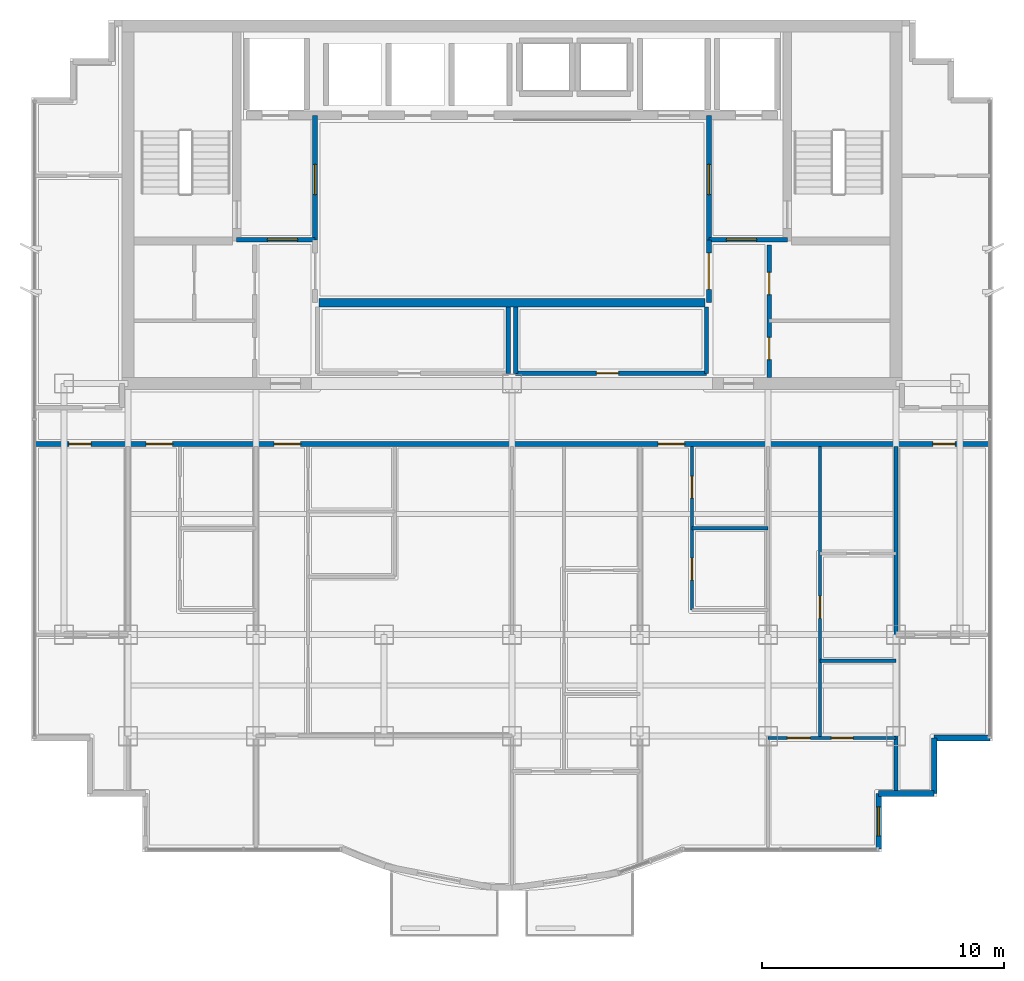
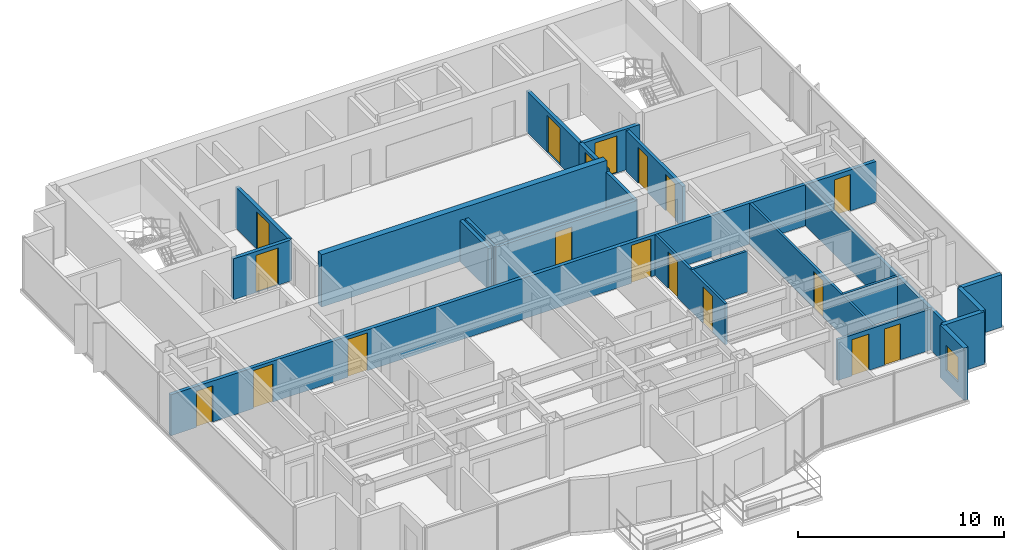
# One storey, part 8 of 12: 22 walls, 18 doors, 1 window, 19 openings.
"""IFC4 building model written with IfcOpenShell, lengths in metres."""

from ifc_helpers import new_model, si_unit, direction, frame, frame_2d, origin, place, context, subcontext, project, spatial, rectangle, extrude, material, layer, layer_set, type_object, element, fill, save


model = new_model("IFC4")

# Units and contexts
model_context = context("Model", 3, precision=1e-05, world=origin(), true_north=direction((0.0, 1.0)))
body_context = subcontext(model_context, "Body", "Model", "MODEL_VIEW")
ifc_project = project(units=[si_unit("LENGTHUNIT", "METRE"), si_unit("AREAUNIT", "SQUARE_METRE"), si_unit("VOLUMEUNIT", "CUBIC_METRE"), si_unit("PLANEANGLEUNIT", "RADIAN"), si_unit("MASSUNIT", "GRAM", prefix="KILO")], contexts=[model_context])

# Site, building, storey
site_placement = place(None, origin())
site = spatial("IfcSite", under=ifc_project, at=site_placement, CompositionType="ELEMENT")
building_placement = place(site_placement, origin())
building = spatial("IfcBuilding", under=site, at=building_placement, Name="Qianlan Lanfeng Residences", CompositionType="ELEMENT")
storey_placement = place(building_placement, frame((0.0, 0.0, 200.0)))
storey = spatial("IfcBuildingStorey", under=building, at=storey_placement, Name="L54", CompositionType="ELEMENT", Elevation=200.0)

# Wall
ifc_material_1 = material(Name="Concrete C49", Category="concrete")
ifc_layer_1 = layer(ifc_material_1, 0.35009765625)
ifc_layer_set_1 = layer_set([ifc_layer_1], Name="Concrete C49")
wall_type_1 = type_object("IfcWallType", Name="CW-RC-350", PredefinedType="SHEAR", material=ifc_layer_set_1)
wall_1_placement = place(storey_placement, frame((18.5, 28.550048828125, 0.0), z_axis=(0.0, 0.0, 1.0), x_axis=(1.0, 0.0, 0.0)))
element("IfcWall", 1, at=wall_1_placement, inside=storey, type_object=wall_type_1, Name="L54 Core Shear Wall LBS", PredefinedType="SHEAR", context=body_context, shape_type="SweptSolid", body=[
    extrude(rectangle(XDim=16.0, YDim=0.35009765625, at=frame_2d((8.0, 0.0))), origin(), (0.0, 0.0, 1.0), 3.110107421875),
])

# Wall, opening, window
ifc_material_2 = material(Name="Concrete C42", Category="concrete")
ifc_layer_2 = layer(ifc_material_2, 0.239990234375)
ifc_layer_set_2 = layer_set([ifc_layer_2], Name="Concrete C42")
wall_type_2 = type_object("IfcWallType", Name="EW-240", PredefinedType="SOLIDWALL", material=ifc_layer_set_2)
wall_2_placement = place(storey_placement, frame((41.679931640625, 5.919921875, 0.0), z_axis=(0.0, 0.0, 1.0), x_axis=(0.0, 1.0, 0.0)))
wall_2 = element("IfcWall", 2, at=wall_2_placement, inside=storey, type_object=wall_type_2, Name="L54 Exterior Facade Spandrel Wall 9", PredefinedType="SOLIDWALL", context=body_context, shape_type="SweptSolid", body=[
    extrude(rectangle(XDim=2.300048828125, YDim=0.239990234375, at=frame_2d((1.14990234375, 0.0))), origin(), (0.0, 0.0, 1.0), 3.110107421875),
])
opening_1_placement = place(wall_2_placement, frame((0.550048828125, 0.0, 0.75)))
opening_1 = element("IfcOpeningElement", 3, at=opening_1_placement, cuts=wall_2, Name="Opening W-03", PredefinedType="OPENING", context=body_context, shape_type="SweptSolid", body=[
    extrude(rectangle(XDim=1.199951171875, YDim=1.5, at=frame_2d((0.60009765625, 0.75))), frame((0.0, 0.1298828125, 0.0), z_axis=(0.0, -1.0, 0.0), x_axis=(1.0, 0.0, 0.0)), (0.0, 0.0, 1.0), 0.260009765625),
])
ifc_material_3 = material(Name="Anodised Bronze Aluminium Framed Double Glazing", Category="aluminium")
window_type = type_object("IfcWindowType", Name="W-03", PartitioningType="SINGLE_PANEL", PredefinedType="WINDOW", material=ifc_material_3)
window_placement = place(opening_1_placement, origin())
window = element("IfcWindow", 4, at=window_placement, inside=storey, type_object=window_type, Name="L54 Facade Punched Window W-03", OverallHeight=1.5, OverallWidth=1.199951171875, PartitioningType="SINGLE_PANEL", PredefinedType="WINDOW", context=body_context, shape_type="SweptSolid", body=[
    extrude(rectangle(XDim=1.199951171875, YDim=1.5, at=frame_2d((0.60009765625, 0.75))), frame((0.0, 0.030029296875, 0.0), z_axis=(0.0, -1.0, 0.0), x_axis=(1.0, 0.0, 0.0)), (0.0, 0.0, 1.0), 0.06005859375),
])
fill(opening_1, window)

# Walls
for number, where, z_axis, x_axis, name in (
    (5, (41.679931640625, 8.219970703125, 0.0), (0.0, 0.0, 1.0), (1.0, 0.0, 0.0), "L54 Exterior Facade Spandrel Wall 10"),
    (6, (43.97998046875, 8.219970703125, 0.0), (0.0, 0.0, 1.0), (0.0, 1.0, 0.0), "L54 Exterior Facade Spandrel Wall 11"),
    (7, (43.97998046875, 10.52001953125, 0.0), (0.0, 0.0, 1.0), (1.0, 0.0, 0.0), "L54 Exterior Facade Spandrel Wall 12"),
):
    element("IfcWall", number, at=place(storey_placement, frame(where, z_axis=z_axis, x_axis=x_axis)), inside=storey, type_object=wall_type_2, Name=name, PredefinedType="SOLIDWALL", context=body_context, shape_type="SweptSolid", body=[
        extrude(rectangle(XDim=2.300048828125, YDim=0.239990234375, at=frame_2d((1.14990234375, 0.0))), origin(), (0.0, 0.0, 1.0), 3.110107421875),
    ])

# Wall, openings, doors
ifc_material_4 = material(Name="Moisture-Resistant Gypsum Partition 135 mm")
ifc_layer_3 = layer(ifc_material_4, 0.135009765625)
ifc_layer_set_3 = layer_set([ifc_layer_3], Name="Moisture-Resistant Gypsum Partition 135 mm")
wall_type_3 = type_object("IfcWallType", Name="PW-135", PredefinedType="PARTITIONING", material=ifc_layer_set_3)
wall_3_placement = place(storey_placement, frame((33.949951171875, 15.820068359375, 0.0), z_axis=(0.0, 0.0, 1.0), x_axis=(0.0, 1.0, 0.0)))
wall_3 = element("IfcWall", 8, at=wall_3_placement, inside=storey, type_object=wall_type_3, Name="L54 U03 Wet Stack Spine", PredefinedType="PARTITIONING", context=body_context, shape_type="SweptSolid", body=[
    extrude(rectangle(XDim=6.780029296875, YDim=0.135009765625, at=frame_2d((3.39013671875, 0.0))), origin(), (0.0, 0.0, 1.0), 2.429931640625),
])
opening_2_placement = place(wall_3_placement, frame((1.235107421875, 0.0, 0.0)))
opening_2 = element("IfcOpeningElement", 9, at=opening_2_placement, cuts=wall_3, Name="Opening L54-D33", PredefinedType="OPENING", context=body_context, shape_type="SweptSolid", body=[
    extrude(rectangle(XDim=0.919921875, YDim=2.14990234375, at=frame_2d((0.4599609375, 1.074951171875))), frame((0.0, 0.07763671875, 0.0), z_axis=(0.0, -1.0, 0.0), x_axis=(1.0, 0.0, 0.0)), (0.0, 0.0, 1.0), 0.155029296875),
])
opening_3_placement = place(wall_3_placement, frame((4.635009765625, 0.0, 0.0)))
opening_3 = element("IfcOpeningElement", 10, at=opening_3_placement, cuts=wall_3, Name="Opening L54-D34", PredefinedType="OPENING", context=body_context, shape_type="SweptSolid", body=[
    extrude(rectangle(XDim=0.89990234375, YDim=2.14990234375, at=frame_2d((0.449951171875, 1.074951171875))), frame((0.0, 0.07763671875, 0.0), z_axis=(0.0, -1.0, 0.0), x_axis=(1.0, 0.0, 0.0)), (0.0, 0.0, 1.0), 0.155029296875),
])
ifc_material_5 = material(Name="Glazed Timber Kitchen/Study Door", Category="wood")
door_type_1 = type_object("IfcDoorType", Name="DT-INT", OperationType="NOTDEFINED", PredefinedType="DOOR", material=ifc_material_5)
door_1_placement = place(opening_2_placement, origin())
door_1 = element("IfcDoor", 11, at=door_1_placement, inside=storey, type_object=door_type_1, Name="L54 U03 Kitchen Door L54-D33 (DT-INT)", OperationType="SINGLE_SWING_LEFT", OverallHeight=2.14990234375, OverallWidth=0.919921875, PredefinedType="DOOR", context=body_context, shape_type="SweptSolid", body=[
    extrude(rectangle(XDim=0.919921875, YDim=2.14990234375, at=frame_2d((0.4599609375, 1.074951171875))), frame((0.0, 0.02490234375, 0.0), z_axis=(0.0, -1.0, 0.0), x_axis=(1.0, 0.0, 0.0)), (0.0, 0.0, 1.0), 0.050048828125),
])
fill(opening_2, door_1)
ifc_material_6 = material(Name="Moisture-Resistant Timber Leaf", Category="wood")
door_type_2 = type_object("IfcDoorType", Name="DT-WC", OperationType="NOTDEFINED", PredefinedType="DOOR", material=ifc_material_6)
door_2_placement = place(opening_3_placement, origin())
door_2 = element("IfcDoor", 12, at=door_2_placement, inside=storey, type_object=door_type_2, Name="L54 U03 Bathroom Door L54-D34 (DT-WC)", OperationType="SINGLE_SWING_RIGHT", OverallHeight=2.14990234375, OverallWidth=0.89990234375, PredefinedType="DOOR", context=body_context, shape_type="SweptSolid", body=[
    extrude(rectangle(XDim=0.89990234375, YDim=2.14990234375, at=frame_2d((0.449951171875, 1.074951171875))), frame((0.0, 0.02490234375, 0.0), z_axis=(0.0, -1.0, 0.0), x_axis=(1.0, 0.0, 0.0)), (0.0, 0.0, 1.0), 0.050048828125),
])
fill(opening_3, door_2)

# Wall
wall_4_placement = place(storey_placement, frame((33.949951171875, 19.2099609375, 0.0), z_axis=(0.0, 0.0, 1.0), x_axis=(1.0, 0.0, 0.0)))
element("IfcWall", 13, at=wall_4_placement, inside=storey, type_object=wall_type_3, Name="L54 U03 Bathroom South Wall", PredefinedType="PARTITIONING", context=body_context, shape_type="SweptSolid", body=[
    extrude(rectangle(XDim=3.150146484375, YDim=0.135009765625, at=frame_2d((1.5751953125, 0.0))), origin(), (0.0, 0.0, 1.0), 2.429931640625),
])

# Wall, openings, doors
wall_5_placement = place(storey_placement, frame((37.10009765625, 10.52001953125, 0.0), z_axis=(0.0, 0.0, 1.0), x_axis=(1.0, 0.0, 0.0)))
wall_5 = element("IfcWall", 14, at=wall_5_placement, inside=storey, type_object=wall_type_3, Name="L54 U03 Master Bedroom North Wall", PredefinedType="PARTITIONING", context=body_context, shape_type="SweptSolid", body=[
    extrude(rectangle(XDim=5.2998046875, YDim=0.135009765625, at=frame_2d((2.64990234375, 0.0))), origin(), (0.0, 0.0, 1.0), 2.429931640625),
])
opening_4_placement = place(wall_5_placement, frame((0.800048828125, 0.0, 0.0)))
opening_4 = element("IfcOpeningElement", 15, at=opening_4_placement, cuts=wall_5, Name="Opening L54-D35", PredefinedType="OPENING", context=body_context, shape_type="SweptSolid", body=[
    extrude(rectangle(XDim=0.949951171875, YDim=2.14990234375, at=frame_2d((0.47509765625, 1.074951171875))), frame((0.0, 0.07763671875, 0.0), z_axis=(0.0, -1.0, 0.0), x_axis=(1.0, 0.0, 0.0)), (0.0, 0.0, 1.0), 0.155029296875),
])
opening_5_placement = place(wall_5_placement, frame((2.625, 0.0, 0.0)))
opening_5 = element("IfcOpeningElement", 16, at=opening_5_placement, cuts=wall_5, Name="Opening L54-D36", PredefinedType="OPENING", context=body_context, shape_type="SweptSolid", body=[
    extrude(rectangle(XDim=0.89990234375, YDim=2.14990234375, at=frame_2d((0.449951171875, 1.074951171875))), frame((0.0, 0.07763671875, 0.0), z_axis=(0.0, -1.0, 0.0), x_axis=(1.0, 0.0, 0.0)), (0.0, 0.0, 1.0), 0.155029296875),
])
ifc_material_7 = material(Name="Painted Solid-Core Timber Leaf", Category="wood")
door_type_3 = type_object("IfcDoorType", Name="DT-BED", OperationType="NOTDEFINED", PredefinedType="DOOR", material=ifc_material_7)
door_3_placement = place(opening_4_placement, origin())
door_3 = element("IfcDoor", 17, at=door_3_placement, inside=storey, type_object=door_type_3, Name="L54 U03 Master Bedroom Door L54-D35 (DT-BED)", OperationType="SINGLE_SWING_RIGHT", OverallHeight=2.14990234375, OverallWidth=0.949951171875, PredefinedType="DOOR", context=body_context, shape_type="SweptSolid", body=[
    extrude(rectangle(XDim=0.949951171875, YDim=2.14990234375, at=frame_2d((0.47509765625, 1.074951171875))), frame((0.0, 0.02490234375, 0.0), z_axis=(0.0, -1.0, 0.0), x_axis=(1.0, 0.0, 0.0)), (0.0, 0.0, 1.0), 0.050048828125),
])
fill(opening_4, door_3)
door_4_placement = place(opening_5_placement, origin())
door_4 = element("IfcDoor", 18, at=door_4_placement, inside=storey, type_object=door_type_2, Name="L54 U03 En-Suite Bathroom Door L54-D36 (DT-WC)", OperationType="SINGLE_SWING_RIGHT", OverallHeight=2.14990234375, OverallWidth=0.89990234375, PredefinedType="DOOR", context=body_context, shape_type="SweptSolid", body=[
    extrude(rectangle(XDim=0.89990234375, YDim=2.14990234375, at=frame_2d((0.449951171875, 1.074951171875))), frame((0.0, 0.02490234375, 0.0), z_axis=(0.0, -1.0, 0.0), x_axis=(1.0, 0.0, 0.0)), (0.0, 0.0, 1.0), 0.050048828125),
])
fill(opening_5, door_4)

# Wall, opening, door
wall_6_placement = place(storey_placement, frame((39.25, 10.52001953125, 0.0), z_axis=(0.0, 0.0, 1.0), x_axis=(0.0, 1.0, 0.0)))
wall_6 = element("IfcWall", 19, at=wall_6_placement, inside=storey, type_object=wall_type_3, Name="L54 U03 Master Passage Wall", PredefinedType="PARTITIONING", context=body_context, shape_type="SweptSolid", body=[
    extrude(rectangle(XDim=12.080078125, YDim=0.135009765625, at=frame_2d((6.0400390625, 0.0))), origin(), (0.0, 0.0, 1.0), 2.429931640625),
])
opening_6_placement = place(wall_6_placement, frame((4.9599609375, 0.0, 0.0)))
opening_6 = element("IfcOpeningElement", 20, at=opening_6_placement, cuts=wall_6, Name="Opening L54-D37", PredefinedType="OPENING", context=body_context, shape_type="SweptSolid", body=[
    extrude(rectangle(XDim=0.919921875, YDim=2.14990234375, at=frame_2d((0.4599609375, 1.074951171875))), frame((0.0, 0.07763671875, 0.0), z_axis=(0.0, -1.0, 0.0), x_axis=(1.0, 0.0, 0.0)), (0.0, 0.0, 1.0), 0.155029296875),
])
door_5_placement = place(opening_6_placement, origin())
door_5 = element("IfcDoor", 21, at=door_5_placement, inside=storey, type_object=door_type_1, Name="L54 U03 Wardrobe Door L54-D37 (DT-INT)", OperationType="SINGLE_SWING_LEFT", OverallHeight=2.14990234375, OverallWidth=0.919921875, PredefinedType="DOOR", context=body_context, shape_type="SweptSolid", body=[
    extrude(rectangle(XDim=0.919921875, YDim=2.14990234375, at=frame_2d((0.4599609375, 1.074951171875))), frame((0.0, 0.02490234375, 0.0), z_axis=(0.0, -1.0, 0.0), x_axis=(1.0, 0.0, 0.0)), (0.0, 0.0, 1.0), 0.050048828125),
])
fill(opening_6, door_5)

# Wall
wall_7_placement = place(storey_placement, frame((39.25, 13.719970703125, 0.0), z_axis=(0.0, 0.0, 1.0), x_axis=(1.0, 0.0, 0.0)))
element("IfcWall", 22, at=wall_7_placement, inside=storey, type_object=wall_type_3, Name="L54 U03 En-Suite North Wall", PredefinedType="PARTITIONING", context=body_context, shape_type="SweptSolid", body=[
    extrude(rectangle(XDim=3.14990234375, YDim=0.135009765625, at=frame_2d((1.574951171875, 0.0))), origin(), (0.0, 0.0, 1.0), 2.429931640625),
])

# Wall, openings, doors
ifc_material_8 = material(Name="Double-Layer Acoustic Gypsum Stud Wall 180 mm")
ifc_layer_4 = layer(ifc_material_8, 0.179931640625)
ifc_layer_set_4 = layer_set([ifc_layer_4], Name="Double-Layer Acoustic Gypsum Stud Wall 180 mm")
wall_type_4 = type_object("IfcWallType", Name="PW-180", PredefinedType="PARTITIONING", material=ifc_layer_set_4)
wall_8_placement = place(storey_placement, frame((37.14990234375, 25.449951171875, 0.0), z_axis=(0.0, 0.0, 1.0), x_axis=(0.0, 1.0, 0.0)))
wall_8 = element("IfcWall", 23, at=wall_8_placement, inside=storey, type_object=wall_type_4, Name="L54 Core East Service Room Wall", PredefinedType="PARTITIONING", context=body_context, shape_type="SweptSolid", body=[
    extrude(rectangle(XDim=5.47509765625, YDim=0.179931640625, at=frame_2d((2.737548828125, 0.0))), origin(), (0.0, 0.0, 1.0), 2.429931640625),
])
opening_7_placement = place(wall_8_placement, frame((0.739990234375, 0.0, 0.0)))
opening_7 = element("IfcOpeningElement", 24, at=opening_7_placement, cuts=wall_8, Name="Opening L54-D12", PredefinedType="OPENING", context=body_context, shape_type="SweptSolid", body=[
    extrude(rectangle(XDim=0.919921875, YDim=2.14990234375, at=frame_2d((0.4599609375, 1.074951171875))), frame((0.0, 0.10009765625, 0.0), z_axis=(0.0, -1.0, 0.0), x_axis=(1.0, 0.0, 0.0)), (0.0, 0.0, 1.0), 0.199951171875),
])
opening_8_placement = place(wall_8_placement, frame((3.427001953125, 0.0, 0.0)))
opening_8 = element("IfcOpeningElement", 25, at=opening_8_placement, cuts=wall_8, Name="Opening L54-D13", PredefinedType="OPENING", context=body_context, shape_type="SweptSolid", body=[
    extrude(rectangle(XDim=0.919921875, YDim=2.14990234375, at=frame_2d((0.4599609375, 1.074951171875))), frame((0.0, 0.10009765625, 0.0), z_axis=(0.0, -1.0, 0.0), x_axis=(1.0, 0.0, 0.0)), (0.0, 0.0, 1.0), 0.199951171875),
])
door_6_placement = place(opening_7_placement, origin())
door_6 = element("IfcDoor", 26, at=door_6_placement, inside=storey, type_object=door_type_1, Name="L54 Mail Closet Door L54-D12 (DT-INT)", OperationType="SINGLE_SWING_LEFT", OverallHeight=2.14990234375, OverallWidth=0.919921875, PredefinedType="DOOR", context=body_context, shape_type="SweptSolid", body=[
    extrude(rectangle(XDim=0.919921875, YDim=2.14990234375, at=frame_2d((0.4599609375, 1.074951171875))), frame((0.0, 0.02490234375, 0.0), z_axis=(0.0, -1.0, 0.0), x_axis=(1.0, 0.0, 0.0)), (0.0, 0.0, 1.0), 0.050048828125),
])
fill(opening_7, door_6)
door_7_placement = place(opening_8_placement, origin())
door_7 = element("IfcDoor", 27, at=door_7_placement, inside=storey, type_object=door_type_1, Name="L54 Refuse Closet Door L54-D13 (DT-INT)", OperationType="SINGLE_SWING_LEFT", OverallHeight=2.14990234375, OverallWidth=0.919921875, PredefinedType="DOOR", context=body_context, shape_type="SweptSolid", body=[
    extrude(rectangle(XDim=0.919921875, YDim=2.14990234375, at=frame_2d((0.4599609375, 1.074951171875))), frame((0.0, 0.02490234375, 0.0), z_axis=(0.0, -1.0, 0.0), x_axis=(1.0, 0.0, 0.0)), (0.0, 0.0, 1.0), 0.050048828125),
])
fill(opening_8, door_7)

# Walls
for number, where, z_axis, x_axis, name in (
    (28, (26.35009765625, 25.6201171875, 0.0), (0.0, 0.0, 1.0), (0.0, 1.0, 0.0), "L54 Reclaimed Low-Bank Room East Wall"),
    (29, (26.64990234375, 25.6201171875, 0.0), (0.0, 0.0, 1.0), (0.0, 1.0, 0.0), "L54 Reclaimed Mid-Bank Room West Wall"),
    (30, (34.550048828125, 25.6201171875, 0.0), (0.0, 0.0, 1.0), (0.0, 1.0, 0.0), "L54 Reclaimed Mid-Bank Room East Wall"),
):
    element("IfcWall", number, at=place(storey_placement, frame(where, z_axis=z_axis, x_axis=x_axis)), inside=storey, type_object=wall_type_4, Name=name, PredefinedType="PARTITIONING", context=body_context, shape_type="SweptSolid", body=[
        extrude(rectangle(XDim=2.7548828125, YDim=0.179931640625, at=frame_2d((1.37744140625, 0.0))), origin(), (0.0, 0.0, 1.0), 2.429931640625),
    ])

# Wall, opening, door
wall_9_placement = place(storey_placement, frame((26.64990234375, 25.6201171875, 0.0), z_axis=(0.0, 0.0, 1.0), x_axis=(1.0, 0.0, 0.0)))
wall_9 = element("IfcWall", 31, at=wall_9_placement, inside=storey, type_object=wall_type_4, Name="L54 Reclaimed Mid-Bank Room South Wall", PredefinedType="PARTITIONING", context=body_context, shape_type="SweptSolid", body=[
    extrude(rectangle(XDim=7.900146484375, YDim=0.179931640625, at=frame_2d((3.9501953125, 0.0))), origin(), (0.0, 0.0, 1.0), 2.429931640625),
])
opening_9_placement = place(wall_9_placement, frame((3.340087890625, 0.0, 0.0)))
opening_9 = element("IfcOpeningElement", 32, at=opening_9_placement, cuts=wall_9, Name="Opening L54-D17", PredefinedType="OPENING", context=body_context, shape_type="SweptSolid", body=[
    extrude(rectangle(XDim=0.919921875, YDim=2.14990234375, at=frame_2d((0.4599609375, 1.074951171875))), frame((0.0, 0.10009765625, 0.0), z_axis=(0.0, -1.0, 0.0), x_axis=(1.0, 0.0, 0.0)), (0.0, 0.0, 1.0), 0.199951171875),
])
door_8_placement = place(opening_9_placement, origin())
door_8 = element("IfcDoor", 33, at=door_8_placement, inside=storey, type_object=door_type_1, Name="L54 Reclaimed Mid-Bank Salon Door L54-D17 (DT-INT)", OperationType="SINGLE_SWING_LEFT", OverallHeight=2.14990234375, OverallWidth=0.919921875, PredefinedType="DOOR", context=body_context, shape_type="SweptSolid", body=[
    extrude(rectangle(XDim=0.919921875, YDim=2.14990234375, at=frame_2d((0.4599609375, 1.074951171875))), frame((0.0, 0.02490234375, 0.0), z_axis=(0.0, -1.0, 0.0), x_axis=(1.0, 0.0, 0.0)), (0.0, 0.0, 1.0), 0.050048828125),
])
fill(opening_9, door_8)

# Wall
wall_10_placement = place(storey_placement, frame((42.39990234375, 8.320068359375, 0.0), z_axis=(0.0, 0.0, 1.0), x_axis=(0.0, 1.0, 0.0)))
element("IfcWall", 34, at=wall_10_placement, inside=storey, type_object=wall_type_4, Name="L54 Wing Boundary Party Wall E0", PredefinedType="PARTITIONING", context=body_context, shape_type="SweptSolid", body=[
    extrude(rectangle(XDim=14.280029296875, YDim=0.179931640625, at=frame_2d((7.14013671875, 0.0))), origin(), (0.0, 0.0, 1.0), 2.429931640625),
])

# Wall, opening, door
ifc_material_9 = material(Name="Autoclaved Aerated Concrete Blockwork 200 mm", Category="masonry")
ifc_layer_5 = layer(ifc_material_9, 0.199951171875)
ifc_layer_set_5 = layer_set([ifc_layer_5], Name="Autoclaved Aerated Concrete Blockwork 200 mm")
wall_type_5 = type_object("IfcWallType", Name="PW-200", PredefinedType="PARTITIONING", material=ifc_layer_set_5)
wall_11_placement = place(storey_placement, frame((15.10009765625, 31.14990234375, 0.0), z_axis=(0.0, 0.0, 1.0), x_axis=(1.0, 0.0, 0.0)))
wall_11 = element("IfcWall", 35, at=wall_11_placement, inside=storey, type_object=wall_type_5, Name="L54 Firefighting Lobby 1 South Wall", PredefinedType="PARTITIONING", context=body_context, shape_type="SweptSolid", body=[
    extrude(rectangle(XDim=3.25, YDim=0.199951171875, at=frame_2d((1.625, 0.0))), origin(), (0.0, 0.0, 1.0), 2.429931640625),
])
opening_10_placement = place(wall_11_placement, frame((1.27490234375, 0.0, 0.0)))
opening_10 = element("IfcOpeningElement", 36, at=opening_10_placement, cuts=wall_11, Name="Opening L54-D03", PredefinedType="OPENING", context=body_context, shape_type="SweptSolid", body=[
    extrude(rectangle(XDim=1.25, YDim=2.199951171875, at=frame_2d((0.625, 1.10009765625))), frame((0.0, 0.10986328125, 0.0), z_axis=(0.0, -1.0, 0.0), x_axis=(1.0, 0.0, 0.0)), (0.0, 0.0, 1.0), 0.219970703125),
])
ifc_material_10 = material(Name="Painted Galvanised Steel Fire Door", Category="steel")
door_type_4 = type_object("IfcDoorType", Name="DT-FFL", OperationType="NOTDEFINED", PredefinedType="DOOR", material=ifc_material_10)
door_9_placement = place(opening_10_placement, origin())
door_9 = element("IfcDoor", 37, at=door_9_placement, inside=storey, type_object=door_type_4, Name="L54 Firefighting Lobby 1 Entry Door L54-D03 (DT-FFL)", OperationType="SINGLE_SWING_LEFT", OverallHeight=2.199951171875, OverallWidth=1.25, PredefinedType="DOOR", context=body_context, shape_type="SweptSolid", body=[
    extrude(rectangle(XDim=1.25, YDim=2.199951171875, at=frame_2d((0.625, 1.10009765625))), frame((0.0, 0.02490234375, 0.0), z_axis=(0.0, -1.0, 0.0), x_axis=(1.0, 0.0, 0.0)), (0.0, 0.0, 1.0), 0.050048828125),
])
fill(opening_10, door_9)

wall_12_placement = place(storey_placement, frame((18.35009765625, 31.14990234375, 0.0), z_axis=(0.0, 0.0, 1.0), x_axis=(0.0, 1.0, 0.0)))
wall_12 = element("IfcWall", 38, at=wall_12_placement, inside=storey, type_object=wall_type_5, Name="L54 Firefighting Lobby 1 East Wall", PredefinedType="PARTITIONING", context=body_context, shape_type="SweptSolid", body=[
    extrude(rectangle(XDim=5.150146484375, YDim=0.199951171875, at=frame_2d((2.5751953125, 0.0))), origin(), (0.0, 0.0, 1.0), 2.429931640625),
])
opening_11_placement = place(wall_12_placement, frame((1.875, 0.0, 0.0)))
opening_11 = element("IfcOpeningElement", 39, at=opening_11_placement, cuts=wall_12, Name="Opening L54-D04", PredefinedType="OPENING", context=body_context, shape_type="SweptSolid", body=[
    extrude(rectangle(XDim=1.25, YDim=2.199951171875, at=frame_2d((0.625, 1.10009765625))), frame((0.0, 0.10986328125, 0.0), z_axis=(0.0, -1.0, 0.0), x_axis=(1.0, 0.0, 0.0)), (0.0, 0.0, 1.0), 0.219970703125),
])
door_10_placement = place(opening_11_placement, origin())
door_10 = element("IfcDoor", 40, at=door_10_placement, inside=storey, type_object=door_type_4, Name="L54 Firefighting Lobby 1 Lift Lobby Door L54-D04 (DT-FFL)", OperationType="SINGLE_SWING_RIGHT", OverallHeight=2.199951171875, OverallWidth=1.25, PredefinedType="DOOR", context=body_context, shape_type="SweptSolid", body=[
    extrude(rectangle(XDim=1.25, YDim=2.199951171875, at=frame_2d((0.625, 1.10009765625))), frame((0.0, 0.02490234375, 0.0), z_axis=(0.0, -1.0, 0.0), x_axis=(1.0, 0.0, 0.0)), (0.0, 0.0, 1.0), 0.050048828125),
])
fill(opening_11, door_10)

wall_13_placement = place(storey_placement, frame((34.64990234375, 31.14990234375, 0.0), z_axis=(0.0, 0.0, 1.0), x_axis=(1.0, 0.0, 0.0)))
wall_13 = element("IfcWall", 41, at=wall_13_placement, inside=storey, type_object=wall_type_5, Name="L54 Firefighting Lobby 2 South Wall", PredefinedType="PARTITIONING", context=body_context, shape_type="SweptSolid", body=[
    extrude(rectangle(XDim=3.25, YDim=0.199951171875, at=frame_2d((1.625, 0.0))), origin(), (0.0, 0.0, 1.0), 2.429931640625),
])
opening_12_placement = place(wall_13_placement, frame((0.72509765625, 0.0, 0.0)))
opening_12 = element("IfcOpeningElement", 42, at=opening_12_placement, cuts=wall_13, Name="Opening L54-D05", PredefinedType="OPENING", context=body_context, shape_type="SweptSolid", body=[
    extrude(rectangle(XDim=1.25, YDim=2.199951171875, at=frame_2d((0.625, 1.10009765625))), frame((0.0, 0.10986328125, 0.0), z_axis=(0.0, -1.0, 0.0), x_axis=(1.0, 0.0, 0.0)), (0.0, 0.0, 1.0), 0.219970703125),
])
door_11_placement = place(opening_12_placement, origin())
door_11 = element("IfcDoor", 43, at=door_11_placement, inside=storey, type_object=door_type_4, Name="L54 Firefighting Lobby 2 Entry Door L54-D05 (DT-FFL)", OperationType="SINGLE_SWING_RIGHT", OverallHeight=2.199951171875, OverallWidth=1.25, PredefinedType="DOOR", context=body_context, shape_type="SweptSolid", body=[
    extrude(rectangle(XDim=1.25, YDim=2.199951171875, at=frame_2d((0.625, 1.10009765625))), frame((0.0, 0.02490234375, 0.0), z_axis=(0.0, -1.0, 0.0), x_axis=(1.0, 0.0, 0.0)), (0.0, 0.0, 1.0), 0.050048828125),
])
fill(opening_12, door_11)

wall_14_placement = place(storey_placement, frame((34.64990234375, 31.14990234375, 0.0), z_axis=(0.0, 0.0, 1.0), x_axis=(0.0, 1.0, 0.0)))
wall_14 = element("IfcWall", 44, at=wall_14_placement, inside=storey, type_object=wall_type_5, Name="L54 Firefighting Lobby 2 West Wall", PredefinedType="PARTITIONING", context=body_context, shape_type="SweptSolid", body=[
    extrude(rectangle(XDim=5.150146484375, YDim=0.199951171875, at=frame_2d((2.5751953125, 0.0))), origin(), (0.0, 0.0, 1.0), 2.429931640625),
])
opening_13_placement = place(wall_14_placement, frame((1.875, 0.0, 0.0)))
opening_13 = element("IfcOpeningElement", 45, at=opening_13_placement, cuts=wall_14, Name="Opening L54-D06", PredefinedType="OPENING", context=body_context, shape_type="SweptSolid", body=[
    extrude(rectangle(XDim=1.25, YDim=2.199951171875, at=frame_2d((0.625, 1.10009765625))), frame((0.0, 0.10986328125, 0.0), z_axis=(0.0, -1.0, 0.0), x_axis=(1.0, 0.0, 0.0)), (0.0, 0.0, 1.0), 0.219970703125),
])
door_12_placement = place(opening_13_placement, origin())
door_12 = element("IfcDoor", 46, at=door_12_placement, inside=storey, type_object=door_type_4, Name="L54 Firefighting Lobby 2 Lift Lobby Door L54-D06 (DT-FFL)", OperationType="SINGLE_SWING_RIGHT", OverallHeight=2.199951171875, OverallWidth=1.25, PredefinedType="DOOR", context=body_context, shape_type="SweptSolid", body=[
    extrude(rectangle(XDim=1.25, YDim=2.199951171875, at=frame_2d((0.625, 1.10009765625))), frame((0.0, 0.02490234375, 0.0), z_axis=(0.0, -1.0, 0.0), x_axis=(1.0, 0.0, 0.0)), (0.0, 0.0, 1.0), 0.050048828125),
])
fill(opening_13, door_12)

wall_15_placement = place(storey_placement, frame((34.64990234375, 28.550048828125, 0.0), z_axis=(0.0, 0.0, 1.0), x_axis=(0.0, 1.0, 0.0)))
wall_15 = element("IfcWall", 47, at=wall_15_placement, inside=storey, type_object=wall_type_5, Name="L54 Lift Lobby East Connector Wall", PredefinedType="PARTITIONING", context=body_context, shape_type="SweptSolid", body=[
    extrude(rectangle(XDim=2.599853515625, YDim=0.199951171875, at=frame_2d((1.2998046875, 0.0))), origin(), (0.0, 0.0, 1.0), 2.429931640625),
])
opening_14_placement = place(wall_15_placement, frame((0.550048828125, 0.0, 0.0)))
opening_14 = element("IfcOpeningElement", 48, at=opening_14_placement, cuts=wall_15, Name="Opening L54-D15", PredefinedType="OPENING", context=body_context, shape_type="SweptSolid", body=[
    extrude(rectangle(XDim=1.5, YDim=2.25, at=frame_2d((0.75, 1.125))), frame((0.0, 0.10986328125, 0.0), z_axis=(0.0, -1.0, 0.0), x_axis=(1.0, 0.0, 0.0)), (0.0, 0.0, 1.0), 0.219970703125),
])
ifc_material_11 = material(Name="Timber Veneer Acoustic Fire Door", Category="wood")
door_type_5 = type_object("IfcDoorType", Name="DT-COR1", OperationType="NOTDEFINED", PredefinedType="DOOR", material=ifc_material_11)
door_13_placement = place(opening_14_placement, frame((1.5, 0.0, 0.0), z_axis=(0.0, 0.0, 1.0), x_axis=(-1.0, 0.0, 0.0)))
door_13 = element("IfcDoor", 49, at=door_13_placement, inside=storey, type_object=door_type_5, Name="L54 Lift Lobby East Portal Door L54-D15 (DT-COR1)", OperationType="DOUBLE_DOOR_SINGLE_SWING", OverallHeight=2.25, OverallWidth=1.5, PredefinedType="DOOR", context=body_context, shape_type="SweptSolid", body=[
    extrude(rectangle(XDim=1.5, YDim=2.25, at=frame_2d((0.75, 1.125))), frame((0.0, 0.02490234375, 0.0), z_axis=(0.0, -1.0, 0.0), x_axis=(1.0, 0.0, 0.0)), (0.0, 0.0, 1.0), 0.050048828125),
])
fill(opening_14, door_13)

# Wall, openings, doors
wall_16_placement = place(storey_placement, frame((6.719970703125, 22.699951171875, 0.0), z_axis=(0.0, 0.0, 1.0), x_axis=(1.0, 0.0, 0.0)))
wall_16 = element("IfcWall", 50, at=wall_16_placement, inside=storey, type_object=wall_type_5, Name="L54 Residential Corridor South Fire Wall", PredefinedType="PARTITIONING", context=body_context, shape_type="SweptSolid", body=[
    extrude(rectangle(XDim=39.56005859375, YDim=0.199951171875, at=frame_2d((19.780029296875, 0.0))), origin(), (0.0, 0.0, 1.0), 2.429931640625),
])
opening_15_placement = place(wall_16_placement, frame((4.6298828125, 0.0, 0.0)))
opening_15 = element("IfcOpeningElement", 51, at=opening_15_placement, cuts=wall_16, Name="Opening L54-D18", PredefinedType="OPENING", context=body_context, shape_type="SweptSolid", body=[
    extrude(rectangle(XDim=1.10009765625, YDim=2.25, at=frame_2d((0.550048828125, 1.125))), frame((0.0, 0.10986328125, 0.0), z_axis=(0.0, -1.0, 0.0), x_axis=(1.0, 0.0, 0.0)), (0.0, 0.0, 1.0), 0.219970703125),
])
opening_16_placement = place(wall_16_placement, frame((9.929931640625, 0.0, 0.0)))
opening_16 = element("IfcOpeningElement", 52, at=opening_16_placement, cuts=wall_16, Name="Opening L54-D21", PredefinedType="OPENING", context=body_context, shape_type="SweptSolid", body=[
    extrude(rectangle(XDim=1.10009765625, YDim=2.25, at=frame_2d((0.550048828125, 1.125))), frame((0.0, 0.10986328125, 0.0), z_axis=(0.0, -1.0, 0.0), x_axis=(1.0, 0.0, 0.0)), (0.0, 0.0, 1.0), 0.219970703125),
])
opening_17_placement = place(wall_16_placement, frame((25.830078125, 0.0, 0.0)))
opening_17 = element("IfcOpeningElement", 53, at=opening_17_placement, cuts=wall_16, Name="Opening L54-D31", PredefinedType="OPENING", context=body_context, shape_type="SweptSolid", body=[
    extrude(rectangle(XDim=1.10009765625, YDim=2.25, at=frame_2d((0.550048828125, 1.125))), frame((0.0, 0.10986328125, 0.0), z_axis=(0.0, -1.0, 0.0), x_axis=(1.0, 0.0, 0.0)), (0.0, 0.0, 1.0), 0.219970703125),
])
opening_18_placement = place(wall_16_placement, frame((1.43505859375, 0.0, 0.0)))
opening_18 = element("IfcOpeningElement", 54, at=opening_18_placement, cuts=wall_16, Name="Opening L54-D40", PredefinedType="OPENING", context=body_context, shape_type="SweptSolid", body=[
    extrude(rectangle(XDim=0.919921875, YDim=2.14990234375, at=frame_2d((0.4599609375, 1.074951171875))), frame((0.0, 0.10986328125, 0.0), z_axis=(0.0, -1.0, 0.0), x_axis=(1.0, 0.0, 0.0)), (0.0, 0.0, 1.0), 0.219970703125),
])
opening_19_placement = place(wall_16_placement, frame((37.205078125, 0.0, 0.0)))
opening_19 = element("IfcOpeningElement", 55, at=opening_19_placement, cuts=wall_16, Name="Opening L54-D42", PredefinedType="OPENING", context=body_context, shape_type="SweptSolid", body=[
    extrude(rectangle(XDim=0.919921875, YDim=2.14990234375, at=frame_2d((0.4599609375, 1.074951171875))), frame((0.0, 0.10986328125, 0.0), z_axis=(0.0, -1.0, 0.0), x_axis=(1.0, 0.0, 0.0)), (0.0, 0.0, 1.0), 0.219970703125),
])
door_14_placement = place(opening_18_placement, origin())
door_14 = element("IfcDoor", 56, at=door_14_placement, inside=storey, type_object=door_type_1, Name="L54 SWP Corridor Door L54-D40 (DT-INT)", OperationType="SINGLE_SWING_RIGHT", OverallHeight=2.14990234375, OverallWidth=0.919921875, PredefinedType="DOOR", context=body_context, shape_type="SweptSolid", body=[
    extrude(rectangle(XDim=0.919921875, YDim=2.14990234375, at=frame_2d((0.4599609375, 1.074951171875))), frame((0.0, 0.02490234375, 0.0), z_axis=(0.0, -1.0, 0.0), x_axis=(1.0, 0.0, 0.0)), (0.0, 0.0, 1.0), 0.050048828125),
])
fill(opening_18, door_14)
door_15_placement = place(opening_19_placement, origin())
door_15 = element("IfcDoor", 57, at=door_15_placement, inside=storey, type_object=door_type_1, Name="L54 SEP Corridor Door L54-D42 (DT-INT)", OperationType="SINGLE_SWING_RIGHT", OverallHeight=2.14990234375, OverallWidth=0.919921875, PredefinedType="DOOR", context=body_context, shape_type="SweptSolid", body=[
    extrude(rectangle(XDim=0.919921875, YDim=2.14990234375, at=frame_2d((0.4599609375, 1.074951171875))), frame((0.0, 0.02490234375, 0.0), z_axis=(0.0, -1.0, 0.0), x_axis=(1.0, 0.0, 0.0)), (0.0, 0.0, 1.0), 0.050048828125),
])
fill(opening_19, door_15)
ifc_material_12 = material(Name="Solid-Core Oak Veneer Fire Door")
door_type_6 = type_object("IfcDoorType", Name="DT-UNIT", OperationType="NOTDEFINED", PredefinedType="DOOR", material=ifc_material_12)
door_16_placement = place(opening_15_placement, origin())
door_16 = element("IfcDoor", 58, at=door_16_placement, inside=storey, type_object=door_type_6, Name="L54 Apartment U01 Entrance Door L54-D18 (DT-UNIT)", OperationType="SINGLE_SWING_RIGHT", OverallHeight=2.25, OverallWidth=1.10009765625, PredefinedType="DOOR", context=body_context, shape_type="SweptSolid", body=[
    extrude(rectangle(XDim=1.10009765625, YDim=2.25, at=frame_2d((0.550048828125, 1.125))), frame((0.0, 0.02490234375, 0.0), z_axis=(0.0, -1.0, 0.0), x_axis=(1.0, 0.0, 0.0)), (0.0, 0.0, 1.0), 0.050048828125),
])
fill(opening_15, door_16)
door_17_placement = place(opening_16_placement, frame((1.10009765625, 0.0, 0.0), z_axis=(0.0, 0.0, 1.0), x_axis=(-1.0, 0.0, 0.0)))
door_17 = element("IfcDoor", 59, at=door_17_placement, inside=storey, type_object=door_type_6, Name="L54 Apartment U02 Entrance Door L54-D21 (DT-UNIT)", OperationType="SINGLE_SWING_RIGHT", OverallHeight=2.25, OverallWidth=1.10009765625, PredefinedType="DOOR", context=body_context, shape_type="SweptSolid", body=[
    extrude(rectangle(XDim=1.10009765625, YDim=2.25, at=frame_2d((0.550048828125, 1.125))), frame((0.0, 0.02490234375, 0.0), z_axis=(0.0, -1.0, 0.0), x_axis=(1.0, 0.0, 0.0)), (0.0, 0.0, 1.0), 0.050048828125),
])
fill(opening_16, door_17)
door_18_placement = place(opening_17_placement, origin())
door_18 = element("IfcDoor", 60, at=door_18_placement, inside=storey, type_object=door_type_6, Name="L54 Apartment U03 Entrance Door L54-D31 (DT-UNIT)", OperationType="SINGLE_SWING_RIGHT", OverallHeight=2.25, OverallWidth=1.10009765625, PredefinedType="DOOR", context=body_context, shape_type="SweptSolid", body=[
    extrude(rectangle(XDim=1.10009765625, YDim=2.25, at=frame_2d((0.550048828125, 1.125))), frame((0.0, 0.02490234375, 0.0), z_axis=(0.0, -1.0, 0.0), x_axis=(1.0, 0.0, 0.0)), (0.0, 0.0, 1.0), 0.050048828125),
])
fill(opening_17, door_18)

save(model, "model.ifc")
